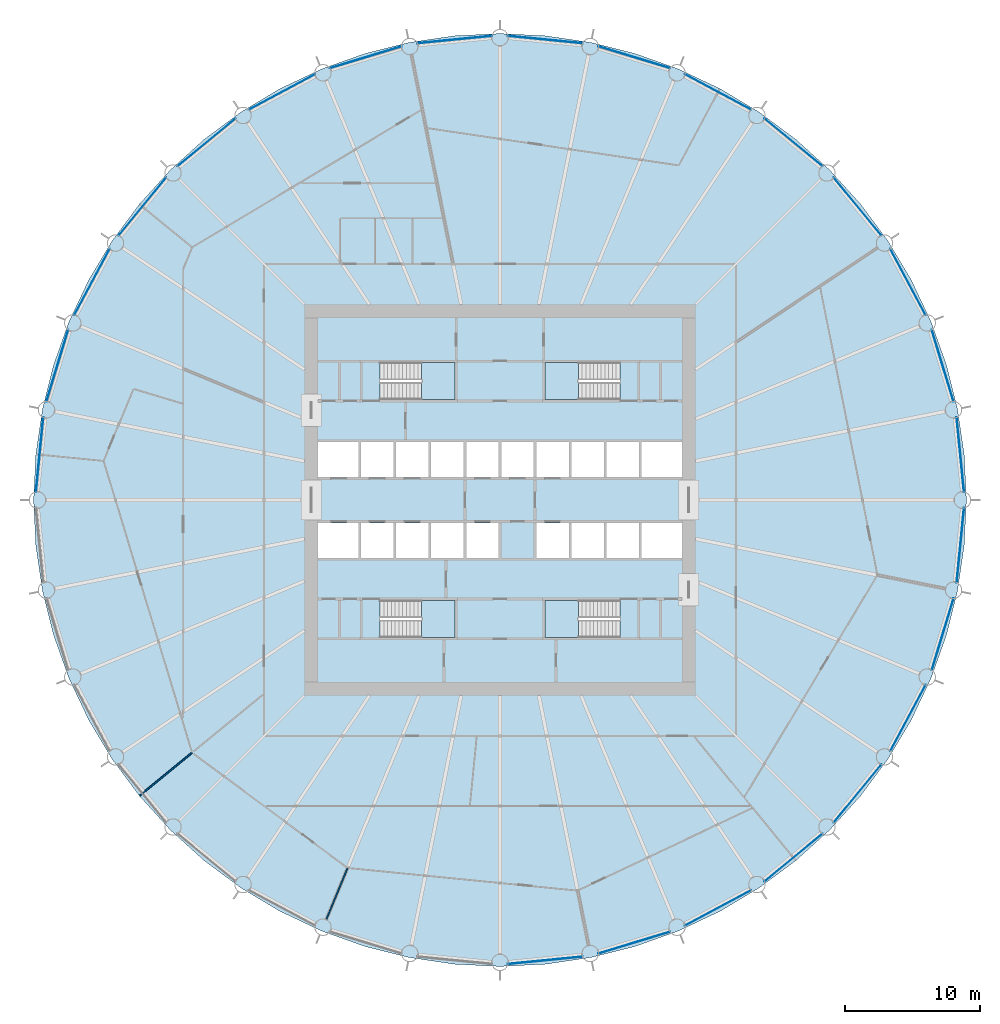
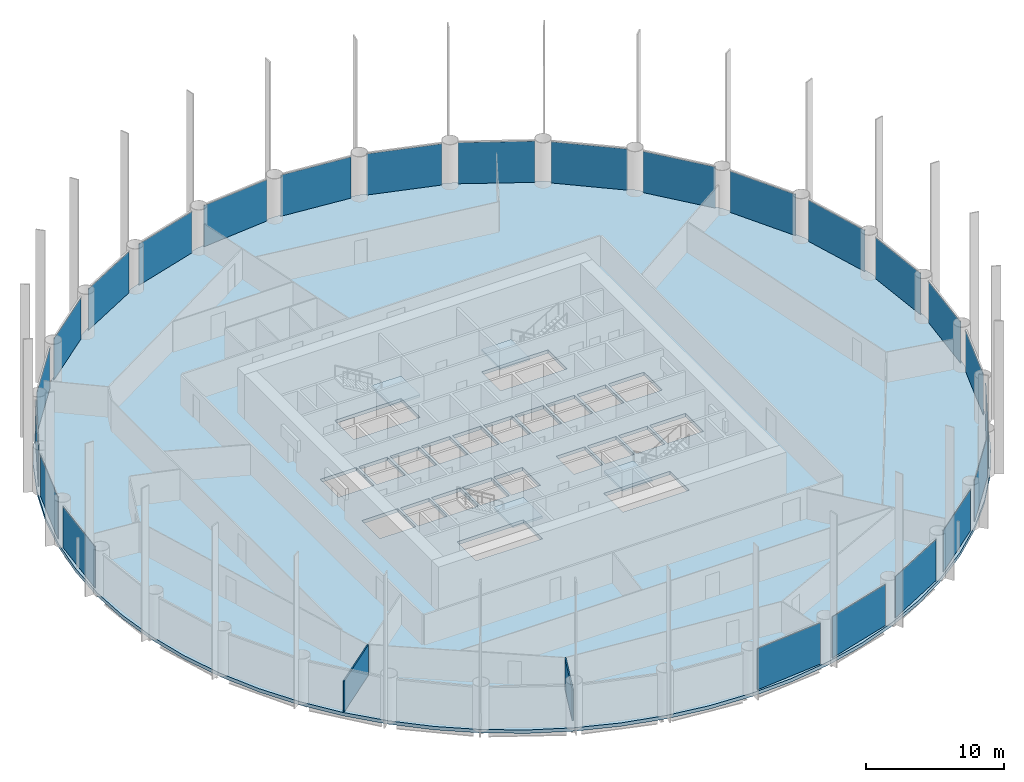
# One storey, part 3 of 10: 24 plates, 5 slabs, 2 walls, 28 elements without a shape of their own.
"""IFC4 building model written with IfcOpenShell, lengths in metres."""

from ifc_helpers import new_model, si_unit, direction, frame, frame_2d, origin, origin_2d, place, context, subcontext, project, spatial, polyline, rectangle, outline, extrude, material, layer, layer_set, type_object, element, aggregate, save


model = new_model("IFC4")

# Units and contexts
model_context = context("Model", 3, precision=1e-05, world=origin(), true_north=direction((0.0, 1.0)))
body_context = subcontext(model_context, "Body", "Model", "MODEL_VIEW")
ifc_project = project(units=[si_unit("LENGTHUNIT", "METRE"), si_unit("AREAUNIT", "SQUARE_METRE"), si_unit("VOLUMEUNIT", "CUBIC_METRE"), si_unit("PLANEANGLEUNIT", "RADIAN"), si_unit("MASSUNIT", "GRAM", prefix="KILO")], contexts=[model_context])

# Site, building, storey
site_placement = place(None, origin())
site = spatial("IfcSite", under=ifc_project, at=site_placement, CompositionType="ELEMENT")
building_placement = place(site_placement, origin())
building = spatial("IfcBuilding", under=site, at=building_placement, Name="Corvane Civic Tower", CompositionType="ELEMENT")
storey_placement = place(building_placement, frame((0.0, 0.0, 130.5)))
storey = spatial("IfcBuildingStorey", under=building, at=storey_placement, Name="L30", CompositionType="ELEMENT", Elevation=130.5)

# Slab
ifc_material_1 = material(Name="Concrete C40/50", Category="concrete")
ifc_layer_1 = layer(ifc_material_1, 0.300048828125)
ifc_layer_set_1 = layer_set([ifc_layer_1], Name="Concrete C40/50")
slab_type_1 = type_object("IfcSlabType", Name="FLOOR SLAB 300", PredefinedType="FLOOR", material=ifc_layer_set_1)
slab_1_placement = place(storey_placement, frame((0.0, 0.0, -0.300048828125)))
element("IfcSlab", 1, at=slab_1_placement, inside=storey, type_object=slab_type_1, Name="SLB-L30", PredefinedType="FLOOR", context=body_context, shape_type="SweptSolid", body=[
    extrude(outline(polyline([(0.0, 34.60009765625), (-3.391357421875, 34.433349609375), (-6.750244140625, 33.93505859375), (-10.0439453125, 33.110107421875), (-13.240966796875, 31.96630859375), (-16.310302734375, 30.514404296875), (-19.22265625, 28.768798828125), (-21.949951171875, 26.74609375), (-24.4658203125, 24.4658203125), (-26.74609375, 21.949951171875), (-28.768798828125, 19.22265625), (-30.514404296875, 16.310302734375), (-31.96630859375, 13.240966796875), (-33.110107421875, 10.0439453125), (-33.93505859375, 6.750244140625), (-34.433349609375, 3.391357421875), (-34.60009765625, 0.0), (-34.433349609375, -3.391357421875), (-33.93505859375, -6.750244140625), (-33.110107421875, -10.0439453125), (-31.96630859375, -13.240966796875), (-30.514404296875, -16.310302734375), (-28.768798828125, -19.22265625), (-26.74609375, -21.949951171875), (-24.4658203125, -24.4658203125), (-21.949951171875, -26.74609375), (-19.22265625, -28.768798828125), (-16.310302734375, -30.514404296875), (-13.240966796875, -31.96630859375), (-10.0439453125, -33.110107421875), (-6.750244140625, -33.93505859375), (-3.391357421875, -34.433349609375), (0.0, -34.60009765625), (3.391357421875, -34.433349609375), (6.750244140625, -33.93505859375), (10.0439453125, -33.110107421875), (13.240966796875, -31.96630859375), (16.310302734375, -30.514404296875), (19.22265625, -28.768798828125), (21.949951171875, -26.74609375), (24.4658203125, -24.4658203125), (26.74609375, -21.949951171875), (28.768798828125, -19.22265625), (30.514404296875, -16.310302734375), (31.96630859375, -13.240966796875), (33.110107421875, -10.0439453125), (33.93505859375, -6.750244140625), (34.433349609375, -3.391357421875), (34.60009765625, 0.0), (34.433349609375, 3.391357421875), (33.93505859375, 6.750244140625), (33.110107421875, 10.0439453125), (31.96630859375, 13.240966796875), (30.514404296875, 16.310302734375), (28.768798828125, 19.22265625), (26.74609375, 21.949951171875), (24.4658203125, 24.4658203125), (21.949951171875, 26.74609375), (19.22265625, 28.768798828125), (16.310302734375, 30.514404296875), (13.240966796875, 31.96630859375), (10.0439453125, 33.110107421875), (6.750244140625, 33.93505859375), (3.391357421875, 34.433349609375), (0.0, 34.60009765625)]), holes=[polyline([(-13.5, 4.300048828125), (-10.5, 4.300048828125), (-10.5, 1.699951171875), (-13.5, 1.699951171875), (-13.5, 4.300048828125)]), polyline([(-7.89990234375, 1.699951171875), (-10.300048828125, 1.699951171875), (-10.300048828125, 4.300048828125), (-7.89990234375, 4.300048828125), (-7.89990234375, 1.699951171875)]), polyline([(-7.699951171875, 4.300048828125), (-5.300048828125, 4.300048828125), (-5.300048828125, 1.699951171875), (-7.699951171875, 1.699951171875), (-7.699951171875, 4.300048828125)]), polyline([(-5.10009765625, 4.300048828125), (-2.699951171875, 4.300048828125), (-2.699951171875, 1.699951171875), (-5.10009765625, 1.699951171875), (-5.10009765625, 4.300048828125)]), polyline([(-0.10009765625, 1.699951171875), (-2.5, 1.699951171875), (-2.5, 4.300048828125), (-0.10009765625, 4.300048828125), (-0.10009765625, 1.699951171875)]), polyline([(2.5, 1.699951171875), (0.10009765625, 1.699951171875), (0.10009765625, 4.300048828125), (2.5, 4.300048828125), (2.5, 1.699951171875)]), polyline([(2.699951171875, 4.300048828125), (5.10009765625, 4.300048828125), (5.10009765625, 1.699951171875), (2.699951171875, 1.699951171875), (2.699951171875, 4.300048828125)]), polyline([(5.300048828125, 4.300048828125), (7.699951171875, 4.300048828125), (7.699951171875, 1.699951171875), (5.300048828125, 1.699951171875), (5.300048828125, 4.300048828125)]), polyline([(7.89990234375, 4.300048828125), (10.300048828125, 4.300048828125), (10.300048828125, 1.699951171875), (7.89990234375, 1.699951171875), (7.89990234375, 4.300048828125)]), polyline([(13.5, 1.699951171875), (10.5, 1.699951171875), (10.5, 4.300048828125), (13.5, 4.300048828125), (13.5, 1.699951171875)]), polyline([(-13.5, -1.699951171875), (-10.5, -1.699951171875), (-10.5, -4.300048828125), (-13.5, -4.300048828125), (-13.5, -1.699951171875)]), polyline([(-7.89990234375, -1.699951171875), (-7.89990234375, -4.300048828125), (-10.300048828125, -4.300048828125), (-10.300048828125, -1.699951171875), (-7.89990234375, -1.699951171875)]), polyline([(-5.300048828125, -1.699951171875), (-5.300048828125, -4.300048828125), (-7.699951171875, -4.300048828125), (-7.699951171875, -1.699951171875), (-5.300048828125, -1.699951171875)]), polyline([(-5.10009765625, -4.300048828125), (-5.10009765625, -1.699951171875), (-2.699951171875, -1.699951171875), (-2.699951171875, -4.300048828125), (-5.10009765625, -4.300048828125)]), polyline([(-0.10009765625, -1.699951171875), (-0.10009765625, -4.300048828125), (-2.5, -4.300048828125), (-2.5, -1.699951171875), (-0.10009765625, -1.699951171875)]), polyline([(5.10009765625, -1.699951171875), (5.10009765625, -4.300048828125), (2.699951171875, -4.300048828125), (2.699951171875, -1.699951171875), (5.10009765625, -1.699951171875)]), polyline([(7.699951171875, -1.699951171875), (7.699951171875, -4.300048828125), (5.300048828125, -4.300048828125), (5.300048828125, -1.699951171875), (7.699951171875, -1.699951171875)]), polyline([(10.300048828125, -1.699951171875), (10.300048828125, -4.300048828125), (7.89990234375, -4.300048828125), (7.89990234375, -1.699951171875), (10.300048828125, -1.699951171875)]), polyline([(13.5, -4.300048828125), (10.5, -4.300048828125), (10.5, -1.699951171875), (13.5, -1.699951171875), (13.5, -4.300048828125)]), polyline([(8.889892578125, 10.199951171875), (8.889892578125, 7.449951171875), (3.35009765625, 7.449951171875), (3.35009765625, 10.199951171875), (8.889892578125, 10.199951171875)]), polyline([(-8.889892578125, 7.449951171875), (-8.889892578125, 10.199951171875), (-3.35009765625, 10.199951171875), (-3.35009765625, 7.449951171875), (-8.889892578125, 7.449951171875)]), polyline([(8.889892578125, -7.449951171875), (8.889892578125, -10.199951171875), (3.35009765625, -10.199951171875), (3.35009765625, -7.449951171875), (8.889892578125, -7.449951171875)]), polyline([(-8.889892578125, -10.199951171875), (-8.889892578125, -7.449951171875), (-3.35009765625, -7.449951171875), (-3.35009765625, -10.199951171875), (-8.889892578125, -10.199951171875)])]), origin(), (0.0, 0.0, 1.0), 0.300048828125),
])

# Stair, slab
ifc_material_2 = material(Name="Concrete C40/50", Category="concrete")
stair_type = type_object("IfcStairType", Name="ST-STAIR-HALFTURN", PredefinedType="HALF_TURN_STAIR", material=ifc_material_2)
stair_1_placement = place(storey_placement, origin())
stair_1 = element("IfcStair", 2, at=stair_1_placement, inside=storey, type_object=stair_type, Name="L30 Exit stair ST1", PredefinedType="HALF_TURN_STAIR")
ifc_material_3 = material(Name="Concrete C40/50", Category="concrete")
ifc_layer_2 = layer(ifc_material_3, 0.199951171875)
ifc_layer_set_2 = layer_set([ifc_layer_2], Name="Concrete C40/50")
slab_type_2 = type_object("IfcSlabType", Name="ST-LANDING-RC", PredefinedType="LANDING", material=ifc_layer_set_2)
slab_2_placement = place(storey_placement, frame((0.0, 0.0, 1.800048828125)))
slab_2 = element("IfcSlab", 3, at=slab_2_placement, type_object=slab_type_2, Name="ST1 landing 1", PredefinedType="LANDING", context=body_context, shape_type="SweptSolid", body=[
    extrude(outline(polyline([(5.820068359375, 10.199951171875), (3.35009765625, 10.199951171875), (3.35009765625, 7.449951171875), (5.820068359375, 7.449951171875), (5.820068359375, 10.199951171875)])), origin(), (0.0, 0.0, 1.0), 0.199951171875),
])
aggregate(stair_1, [slab_2])

stair_2_placement = place(storey_placement, origin())
stair_2 = element("IfcStair", 4, at=stair_2_placement, inside=storey, type_object=stair_type, Name="L30 Exit stair ST2", PredefinedType="HALF_TURN_STAIR")
slab_3_placement = place(storey_placement, frame((0.0, 0.0, 1.800048828125)))
slab_3 = element("IfcSlab", 5, at=slab_3_placement, type_object=slab_type_2, Name="ST2 landing 1", PredefinedType="LANDING", context=body_context, shape_type="SweptSolid", body=[
    extrude(outline(polyline([(5.820068359375, -7.449951171875), (3.35009765625, -7.449951171875), (3.35009765625, -10.199951171875), (5.820068359375, -10.199951171875), (5.820068359375, -7.449951171875)])), origin(), (0.0, 0.0, 1.0), 0.199951171875),
])
aggregate(stair_2, [slab_3])

stair_3_placement = place(storey_placement, origin())
stair_3 = element("IfcStair", 6, at=stair_3_placement, inside=storey, type_object=stair_type, Name="L30 Exit stair ST3", PredefinedType="HALF_TURN_STAIR")
slab_4_placement = place(storey_placement, frame((0.0, 0.0, 1.800048828125)))
slab_4 = element("IfcSlab", 7, at=slab_4_placement, type_object=slab_type_2, Name="ST3 landing 1", PredefinedType="LANDING", context=body_context, shape_type="SweptSolid", body=[
    extrude(outline(polyline([(-5.820068359375, -10.199951171875), (-3.35009765625, -10.199951171875), (-3.35009765625, -7.449951171875), (-5.820068359375, -7.449951171875), (-5.820068359375, -10.199951171875)])), origin(), (0.0, 0.0, 1.0), 0.199951171875),
])
aggregate(stair_3, [slab_4])

stair_4_placement = place(storey_placement, origin())
stair_4 = element("IfcStair", 8, at=stair_4_placement, inside=storey, type_object=stair_type, Name="L30 Exit stair ST4", PredefinedType="HALF_TURN_STAIR")
slab_5_placement = place(storey_placement, frame((0.0, 0.0, 1.800048828125)))
slab_5 = element("IfcSlab", 9, at=slab_5_placement, type_object=slab_type_2, Name="ST4 landing 1", PredefinedType="LANDING", context=body_context, shape_type="SweptSolid", body=[
    extrude(outline(polyline([(-5.820068359375, 7.449951171875), (-3.35009765625, 7.449951171875), (-3.35009765625, 10.199951171875), (-5.820068359375, 10.199951171875), (-5.820068359375, 7.449951171875)])), origin(), (0.0, 0.0, 1.0), 0.199951171875),
])
aggregate(stair_4, [slab_5])

# Curtain wall, plate
ifc_material_4 = material(Name="Anodised aluminium bronze", Category="aluminium")
curtain_wall_type = type_object("IfcCurtainWallType", Name="TOWER CW-T1 STICK CURTAIN WALL", PredefinedType="NOTDEFINED", material=ifc_material_4)
curtain_wall_1_placement = place(storey_placement, origin())
curtain_wall_1 = element("IfcCurtainWall", 10, at=curtain_wall_1_placement, inside=storey, type_object=curtain_wall_type, Name="Curtain wall CW-T1 L30 bay 01", PredefinedType="NOTDEFINED")
ifc_material_5 = material(Name="Tinted glass", Category="glass")
ifc_layer_3 = layer(ifc_material_5, 0.035888671875)
ifc_layer_set_3 = layer_set([ifc_layer_3], Name="Tinted glass")
plate_type = type_object("IfcPlateType", Name="TOWER CW-T1 PANEL IGU36", PredefinedType="CURTAIN_PANEL", material=ifc_layer_set_3)
plate_1_placement = place(storey_placement, frame((3.36328125, 34.148681640625, 0.0), z_axis=(0.0, 0.0, 1.0), x_axis=(0.995183788169, -0.098026668644, 0.0)))
plate_1 = element("IfcPlate", 11, at=plate_1_placement, type_object=plate_type, Name="Glass panel CW-T1 L30 01.1", PredefinedType="CURTAIN_PANEL", context=body_context, shape_type="SweptSolid", body=[
    extrude(rectangle(XDim=5.58642578125, YDim=0.035888671875, at=origin_2d()), origin(), (0.0, 0.0, 1.0), 3.6298828125),
])
aggregate(curtain_wall_1, [plate_1])

curtain_wall_2_placement = place(storey_placement, origin())
curtain_wall_2 = element("IfcCurtainWall", 12, at=curtain_wall_2_placement, inside=storey, type_object=curtain_wall_type, Name="Curtain wall CW-T1 L30 bay 02", PredefinedType="NOTDEFINED")
plate_2_placement = place(storey_placement, frame((9.9609375, 32.83642578125, 0.0), z_axis=(0.0, 0.0, 1.0), x_axis=(0.956945991488, -0.290266032073, 0.0)))
plate_2 = element("IfcPlate", 13, at=plate_2_placement, type_object=plate_type, Name="Glass panel CW-T1 L30 02.1", PredefinedType="CURTAIN_PANEL", context=body_context, shape_type="SweptSolid", body=[
    extrude(rectangle(XDim=5.58642578125, YDim=0.035888671875, at=origin_2d()), origin(), (0.0, 0.0, 1.0), 3.6298828125),
])
aggregate(curtain_wall_2, [plate_2])

curtain_wall_3_placement = place(storey_placement, origin())
curtain_wall_3 = element("IfcCurtainWall", 14, at=curtain_wall_3_placement, inside=storey, type_object=curtain_wall_type, Name="Curtain wall CW-T1 L30 bay 03", PredefinedType="NOTDEFINED")
plate_3_placement = place(storey_placement, frame((16.175537109375, 30.26220703125, 0.0), z_axis=(0.0, 0.0, 1.0), x_axis=(0.881923642976, -0.471392286699, 0.0)))
plate_3 = element("IfcPlate", 15, at=plate_3_placement, type_object=plate_type, Name="Glass panel CW-T1 L30 03.1", PredefinedType="CURTAIN_PANEL", context=body_context, shape_type="SweptSolid", body=[
    extrude(rectangle(XDim=5.586669921875, YDim=0.035888671875, at=origin_2d()), origin(), (0.0, 0.0, 1.0), 3.6298828125),
])
aggregate(curtain_wall_3, [plate_3])

curtain_wall_4_placement = place(storey_placement, origin())
curtain_wall_4 = element("IfcCurtainWall", 16, at=curtain_wall_4_placement, inside=storey, type_object=curtain_wall_type, Name="Curtain wall CW-T1 L30 bay 04", PredefinedType="NOTDEFINED")
plate_4_placement = place(storey_placement, frame((21.7685546875, 26.525146484375, 0.0), z_axis=(0.0, 0.0, 1.0), x_axis=(0.773013419843, -0.63438966948, 0.0)))
plate_4 = element("IfcPlate", 17, at=plate_4_placement, type_object=plate_type, Name="Glass panel CW-T1 L30 04.1", PredefinedType="CURTAIN_PANEL", context=body_context, shape_type="SweptSolid", body=[
    extrude(rectangle(XDim=5.58642578125, YDim=0.035888671875, at=origin_2d()), origin(), (0.0, 0.0, 1.0), 3.6298828125),
])
aggregate(curtain_wall_4, [plate_4])

curtain_wall_5_placement = place(storey_placement, origin())
curtain_wall_5 = element("IfcCurtainWall", 18, at=curtain_wall_5_placement, inside=storey, type_object=curtain_wall_type, Name="Curtain wall CW-T1 L30 bay 05", PredefinedType="NOTDEFINED")
plate_5_placement = place(storey_placement, frame((26.525146484375, 21.7685546875, 0.0), z_axis=(0.0, 0.0, 1.0), x_axis=(0.63438966948, -0.773013419843, 0.0)))
plate_5 = element("IfcPlate", 19, at=plate_5_placement, type_object=plate_type, Name="Glass panel CW-T1 L30 05.1", PredefinedType="CURTAIN_PANEL", context=body_context, shape_type="SweptSolid", body=[
    extrude(rectangle(XDim=5.58642578125, YDim=0.035888671875, at=origin_2d()), origin(), (0.0, 0.0, 1.0), 3.6298828125),
])
aggregate(curtain_wall_5, [plate_5])

curtain_wall_6_placement = place(storey_placement, origin())
curtain_wall_6 = element("IfcCurtainWall", 20, at=curtain_wall_6_placement, inside=storey, type_object=curtain_wall_type, Name="Curtain wall CW-T1 L30 bay 06", PredefinedType="NOTDEFINED")
plate_6_placement = place(storey_placement, frame((30.26220703125, 16.175537109375, 0.0), z_axis=(0.0, 0.0, 1.0), x_axis=(0.471392286699, -0.881923642976, 0.0)))
plate_6 = element("IfcPlate", 21, at=plate_6_placement, type_object=plate_type, Name="Glass panel CW-T1 L30 06.1", PredefinedType="CURTAIN_PANEL", context=body_context, shape_type="SweptSolid", body=[
    extrude(rectangle(XDim=5.586669921875, YDim=0.035888671875, at=origin_2d()), origin(), (0.0, 0.0, 1.0), 3.6298828125),
])
aggregate(curtain_wall_6, [plate_6])

curtain_wall_7_placement = place(storey_placement, origin())
curtain_wall_7 = element("IfcCurtainWall", 22, at=curtain_wall_7_placement, inside=storey, type_object=curtain_wall_type, Name="Curtain wall CW-T1 L30 bay 07", PredefinedType="NOTDEFINED")
plate_7_placement = place(storey_placement, frame((32.83642578125, 9.9609375, 0.0), z_axis=(0.0, 0.0, 1.0), x_axis=(0.290266032073, -0.956945991488, 0.0)))
plate_7 = element("IfcPlate", 23, at=plate_7_placement, type_object=plate_type, Name="Glass panel CW-T1 L30 07.1", PredefinedType="CURTAIN_PANEL", context=body_context, shape_type="SweptSolid", body=[
    extrude(rectangle(XDim=5.58642578125, YDim=0.035888671875, at=origin_2d()), origin(), (0.0, 0.0, 1.0), 3.6298828125),
])
aggregate(curtain_wall_7, [plate_7])

curtain_wall_8_placement = place(storey_placement, origin())
curtain_wall_8 = element("IfcCurtainWall", 24, at=curtain_wall_8_placement, inside=storey, type_object=curtain_wall_type, Name="Curtain wall CW-T1 L30 bay 08", PredefinedType="NOTDEFINED")
plate_8_placement = place(storey_placement, frame((34.148681640625, 3.36328125, 0.0), z_axis=(0.0, 0.0, 1.0), x_axis=(0.098026668644, -0.995183788169, 0.0)))
plate_8 = element("IfcPlate", 25, at=plate_8_placement, type_object=plate_type, Name="Glass panel CW-T1 L30 08.1", PredefinedType="CURTAIN_PANEL", context=body_context, shape_type="SweptSolid", body=[
    extrude(rectangle(XDim=5.58642578125, YDim=0.035888671875, at=origin_2d()), origin(), (0.0, 0.0, 1.0), 3.6298828125),
])
aggregate(curtain_wall_8, [plate_8])

curtain_wall_9_placement = place(storey_placement, origin())
curtain_wall_9 = element("IfcCurtainWall", 26, at=curtain_wall_9_placement, inside=storey, type_object=curtain_wall_type, Name="Curtain wall CW-T1 L30 bay 09", PredefinedType="NOTDEFINED")
plate_9_placement = place(storey_placement, frame((34.148681640625, -3.36328125, 0.0), z_axis=(0.0, 0.0, 1.0), x_axis=(-0.098026668644, -0.995183788169, 0.0)))
plate_9 = element("IfcPlate", 27, at=plate_9_placement, type_object=plate_type, Name="Glass panel CW-T1 L30 09.1", PredefinedType="CURTAIN_PANEL", context=body_context, shape_type="SweptSolid", body=[
    extrude(rectangle(XDim=5.58642578125, YDim=0.035888671875, at=origin_2d()), origin(), (0.0, 0.0, 1.0), 3.6298828125),
])
aggregate(curtain_wall_9, [plate_9])

curtain_wall_10_placement = place(storey_placement, origin())
curtain_wall_10 = element("IfcCurtainWall", 28, at=curtain_wall_10_placement, inside=storey, type_object=curtain_wall_type, Name="Curtain wall CW-T1 L30 bay 10", PredefinedType="NOTDEFINED")
plate_10_placement = place(storey_placement, frame((32.83642578125, -9.9609375, 0.0), z_axis=(0.0, 0.0, 1.0), x_axis=(-0.290266032073, -0.956945991488, 0.0)))
plate_10 = element("IfcPlate", 29, at=plate_10_placement, type_object=plate_type, Name="Glass panel CW-T1 L30 10.1", PredefinedType="CURTAIN_PANEL", context=body_context, shape_type="SweptSolid", body=[
    extrude(rectangle(XDim=5.58642578125, YDim=0.035888671875, at=origin_2d()), origin(), (0.0, 0.0, 1.0), 3.6298828125),
])
aggregate(curtain_wall_10, [plate_10])

curtain_wall_11_placement = place(storey_placement, origin())
curtain_wall_11 = element("IfcCurtainWall", 30, at=curtain_wall_11_placement, inside=storey, type_object=curtain_wall_type, Name="Curtain wall CW-T1 L30 bay 11", PredefinedType="NOTDEFINED")
plate_11_placement = place(storey_placement, frame((30.26220703125, -16.175537109375, 0.0), z_axis=(0.0, 0.0, 1.0), x_axis=(-0.471392286699, -0.881923642976, 0.0)))
plate_11 = element("IfcPlate", 31, at=plate_11_placement, type_object=plate_type, Name="Glass panel CW-T1 L30 11.1", PredefinedType="CURTAIN_PANEL", context=body_context, shape_type="SweptSolid", body=[
    extrude(rectangle(XDim=5.586669921875, YDim=0.035888671875, at=origin_2d()), origin(), (0.0, 0.0, 1.0), 3.6298828125),
])
aggregate(curtain_wall_11, [plate_11])

curtain_wall_12_placement = place(storey_placement, origin())
curtain_wall_12 = element("IfcCurtainWall", 32, at=curtain_wall_12_placement, inside=storey, type_object=curtain_wall_type, Name="Curtain wall CW-T1 L30 bay 12", PredefinedType="NOTDEFINED")
plate_12_placement = place(storey_placement, frame((26.525146484375, -21.7685546875, 0.0), z_axis=(0.0, 0.0, 1.0), x_axis=(-0.63438966948, -0.773013419843, 0.0)))
plate_12 = element("IfcPlate", 33, at=plate_12_placement, type_object=plate_type, Name="Glass panel CW-T1 L30 12.1", PredefinedType="CURTAIN_PANEL", context=body_context, shape_type="SweptSolid", body=[
    extrude(rectangle(XDim=5.58642578125, YDim=0.035888671875, at=origin_2d()), origin(), (0.0, 0.0, 1.0), 3.6298828125),
])
aggregate(curtain_wall_12, [plate_12])

curtain_wall_13_placement = place(storey_placement, origin())
curtain_wall_13 = element("IfcCurtainWall", 34, at=curtain_wall_13_placement, inside=storey, type_object=curtain_wall_type, Name="Curtain wall CW-T1 L30 bay 13", PredefinedType="NOTDEFINED")
plate_13_placement = place(storey_placement, frame((21.7685546875, -26.525146484375, 0.0), z_axis=(0.0, 0.0, 1.0), x_axis=(-0.773013419843, -0.63438966948, 0.0)))
plate_13 = element("IfcPlate", 35, at=plate_13_placement, type_object=plate_type, Name="Glass panel CW-T1 L30 13.1", PredefinedType="CURTAIN_PANEL", context=body_context, shape_type="SweptSolid", body=[
    extrude(rectangle(XDim=5.58642578125, YDim=0.035888671875, at=origin_2d()), origin(), (0.0, 0.0, 1.0), 3.6298828125),
])
aggregate(curtain_wall_13, [plate_13])

curtain_wall_14_placement = place(storey_placement, origin())
curtain_wall_14 = element("IfcCurtainWall", 36, at=curtain_wall_14_placement, inside=storey, type_object=curtain_wall_type, Name="Curtain wall CW-T1 L30 bay 14", PredefinedType="NOTDEFINED")
plate_14_placement = place(storey_placement, frame((16.175537109375, -30.26220703125, 0.0), z_axis=(0.0, 0.0, 1.0), x_axis=(-0.881923642976, -0.471392286699, 0.0)))
plate_14 = element("IfcPlate", 37, at=plate_14_placement, type_object=plate_type, Name="Glass panel CW-T1 L30 14.1", PredefinedType="CURTAIN_PANEL", context=body_context, shape_type="SweptSolid", body=[
    extrude(rectangle(XDim=5.586669921875, YDim=0.035888671875, at=origin_2d()), origin(), (0.0, 0.0, 1.0), 3.6298828125),
])
aggregate(curtain_wall_14, [plate_14])

curtain_wall_15_placement = place(storey_placement, origin())
curtain_wall_15 = element("IfcCurtainWall", 38, at=curtain_wall_15_placement, inside=storey, type_object=curtain_wall_type, Name="Curtain wall CW-T1 L30 bay 15", PredefinedType="NOTDEFINED")
plate_15_placement = place(storey_placement, frame((9.9609375, -32.83642578125, 0.0), z_axis=(0.0, 0.0, 1.0), x_axis=(-0.956945991488, -0.290266032073, 0.0)))
plate_15 = element("IfcPlate", 39, at=plate_15_placement, type_object=plate_type, Name="Glass panel CW-T1 L30 15.1", PredefinedType="CURTAIN_PANEL", context=body_context, shape_type="SweptSolid", body=[
    extrude(rectangle(XDim=5.58642578125, YDim=0.035888671875, at=origin_2d()), origin(), (0.0, 0.0, 1.0), 3.6298828125),
])
aggregate(curtain_wall_15, [plate_15])

curtain_wall_16_placement = place(storey_placement, origin())
curtain_wall_16 = element("IfcCurtainWall", 40, at=curtain_wall_16_placement, inside=storey, type_object=curtain_wall_type, Name="Curtain wall CW-T1 L30 bay 16", PredefinedType="NOTDEFINED")
plate_16_placement = place(storey_placement, frame((3.36328125, -34.148681640625, 0.0), z_axis=(0.0, 0.0, 1.0), x_axis=(-0.995183788169, -0.098026668644, 0.0)))
plate_16 = element("IfcPlate", 41, at=plate_16_placement, type_object=plate_type, Name="Glass panel CW-T1 L30 16.1", PredefinedType="CURTAIN_PANEL", context=body_context, shape_type="SweptSolid", body=[
    extrude(rectangle(XDim=5.58642578125, YDim=0.035888671875, at=origin_2d()), origin(), (0.0, 0.0, 1.0), 3.6298828125),
])
aggregate(curtain_wall_16, [plate_16])

curtain_wall_17_placement = place(storey_placement, origin())
curtain_wall_17 = element("IfcCurtainWall", 42, at=curtain_wall_17_placement, inside=storey, type_object=curtain_wall_type, Name="Curtain wall CW-T1 L30 bay 25", PredefinedType="NOTDEFINED")
plate_17_placement = place(storey_placement, frame((-34.148681640625, 3.36328125, 0.0), z_axis=(0.0, 0.0, 1.0), x_axis=(0.098026668644, 0.995183788169, 0.0)))
plate_17 = element("IfcPlate", 43, at=plate_17_placement, type_object=plate_type, Name="Glass panel CW-T1 L30 25.1", PredefinedType="CURTAIN_PANEL", context=body_context, shape_type="SweptSolid", body=[
    extrude(rectangle(XDim=5.58642578125, YDim=0.035888671875, at=origin_2d()), origin(), (0.0, 0.0, 1.0), 3.6298828125),
])
aggregate(curtain_wall_17, [plate_17])

curtain_wall_18_placement = place(storey_placement, origin())
curtain_wall_18 = element("IfcCurtainWall", 44, at=curtain_wall_18_placement, inside=storey, type_object=curtain_wall_type, Name="Curtain wall CW-T1 L30 bay 26", PredefinedType="NOTDEFINED")
plate_18_placement = place(storey_placement, frame((-32.83642578125, 9.9609375, 0.0), z_axis=(0.0, 0.0, 1.0), x_axis=(0.290266032073, 0.956945991488, 0.0)))
plate_18 = element("IfcPlate", 45, at=plate_18_placement, type_object=plate_type, Name="Glass panel CW-T1 L30 26.1", PredefinedType="CURTAIN_PANEL", context=body_context, shape_type="SweptSolid", body=[
    extrude(rectangle(XDim=5.58642578125, YDim=0.035888671875, at=origin_2d()), origin(), (0.0, 0.0, 1.0), 3.6298828125),
])
aggregate(curtain_wall_18, [plate_18])

curtain_wall_19_placement = place(storey_placement, origin())
curtain_wall_19 = element("IfcCurtainWall", 46, at=curtain_wall_19_placement, inside=storey, type_object=curtain_wall_type, Name="Curtain wall CW-T1 L30 bay 27", PredefinedType="NOTDEFINED")
plate_19_placement = place(storey_placement, frame((-30.26220703125, 16.175537109375, 0.0), z_axis=(0.0, 0.0, 1.0), x_axis=(0.471392286699, 0.881923642976, 0.0)))
plate_19 = element("IfcPlate", 47, at=plate_19_placement, type_object=plate_type, Name="Glass panel CW-T1 L30 27.1", PredefinedType="CURTAIN_PANEL", context=body_context, shape_type="SweptSolid", body=[
    extrude(rectangle(XDim=5.586669921875, YDim=0.035888671875, at=origin_2d()), origin(), (0.0, 0.0, 1.0), 3.6298828125),
])
aggregate(curtain_wall_19, [plate_19])

curtain_wall_20_placement = place(storey_placement, origin())
curtain_wall_20 = element("IfcCurtainWall", 48, at=curtain_wall_20_placement, inside=storey, type_object=curtain_wall_type, Name="Curtain wall CW-T1 L30 bay 28", PredefinedType="NOTDEFINED")
plate_20_placement = place(storey_placement, frame((-26.525146484375, 21.7685546875, 0.0), z_axis=(0.0, 0.0, 1.0), x_axis=(0.63438966948, 0.773013419843, 0.0)))
plate_20 = element("IfcPlate", 49, at=plate_20_placement, type_object=plate_type, Name="Glass panel CW-T1 L30 28.1", PredefinedType="CURTAIN_PANEL", context=body_context, shape_type="SweptSolid", body=[
    extrude(rectangle(XDim=5.58642578125, YDim=0.035888671875, at=origin_2d()), origin(), (0.0, 0.0, 1.0), 3.6298828125),
])
aggregate(curtain_wall_20, [plate_20])

curtain_wall_21_placement = place(storey_placement, origin())
curtain_wall_21 = element("IfcCurtainWall", 50, at=curtain_wall_21_placement, inside=storey, type_object=curtain_wall_type, Name="Curtain wall CW-T1 L30 bay 29", PredefinedType="NOTDEFINED")
plate_21_placement = place(storey_placement, frame((-21.7685546875, 26.525146484375, 0.0), z_axis=(0.0, 0.0, 1.0), x_axis=(0.773013419843, 0.63438966948, 0.0)))
plate_21 = element("IfcPlate", 51, at=plate_21_placement, type_object=plate_type, Name="Glass panel CW-T1 L30 29.1", PredefinedType="CURTAIN_PANEL", context=body_context, shape_type="SweptSolid", body=[
    extrude(rectangle(XDim=5.58642578125, YDim=0.035888671875, at=origin_2d()), origin(), (0.0, 0.0, 1.0), 3.6298828125),
])
aggregate(curtain_wall_21, [plate_21])

curtain_wall_22_placement = place(storey_placement, origin())
curtain_wall_22 = element("IfcCurtainWall", 52, at=curtain_wall_22_placement, inside=storey, type_object=curtain_wall_type, Name="Curtain wall CW-T1 L30 bay 30", PredefinedType="NOTDEFINED")
plate_22_placement = place(storey_placement, frame((-16.175537109375, 30.26220703125, 0.0), z_axis=(0.0, 0.0, 1.0), x_axis=(0.881923642976, 0.471392286699, 0.0)))
plate_22 = element("IfcPlate", 53, at=plate_22_placement, type_object=plate_type, Name="Glass panel CW-T1 L30 30.1", PredefinedType="CURTAIN_PANEL", context=body_context, shape_type="SweptSolid", body=[
    extrude(rectangle(XDim=5.586669921875, YDim=0.035888671875, at=origin_2d()), origin(), (0.0, 0.0, 1.0), 3.6298828125),
])
aggregate(curtain_wall_22, [plate_22])

curtain_wall_23_placement = place(storey_placement, origin())
curtain_wall_23 = element("IfcCurtainWall", 54, at=curtain_wall_23_placement, inside=storey, type_object=curtain_wall_type, Name="Curtain wall CW-T1 L30 bay 31", PredefinedType="NOTDEFINED")
plate_23_placement = place(storey_placement, frame((-9.9609375, 32.83642578125, 0.0), z_axis=(0.0, 0.0, 1.0), x_axis=(0.956945991488, 0.290266032073, 0.0)))
plate_23 = element("IfcPlate", 55, at=plate_23_placement, type_object=plate_type, Name="Glass panel CW-T1 L30 31.1", PredefinedType="CURTAIN_PANEL", context=body_context, shape_type="SweptSolid", body=[
    extrude(rectangle(XDim=5.58642578125, YDim=0.035888671875, at=origin_2d()), origin(), (0.0, 0.0, 1.0), 3.6298828125),
])
aggregate(curtain_wall_23, [plate_23])

curtain_wall_24_placement = place(storey_placement, origin())
curtain_wall_24 = element("IfcCurtainWall", 56, at=curtain_wall_24_placement, inside=storey, type_object=curtain_wall_type, Name="Curtain wall CW-T1 L30 bay 32", PredefinedType="NOTDEFINED")
plate_24_placement = place(storey_placement, frame((-3.36328125, 34.148681640625, 0.0), z_axis=(0.0, 0.0, 1.0), x_axis=(0.995183788169, 0.098026668644, 0.0)))
plate_24 = element("IfcPlate", 57, at=plate_24_placement, type_object=plate_type, Name="Glass panel CW-T1 L30 32.1", PredefinedType="CURTAIN_PANEL", context=body_context, shape_type="SweptSolid", body=[
    extrude(rectangle(XDim=5.58642578125, YDim=0.035888671875, at=origin_2d()), origin(), (0.0, 0.0, 1.0), 3.6298828125),
])
aggregate(curtain_wall_24, [plate_24])

# Walls
ifc_material_6 = material(Name="Plasterboard")
ifc_layer_4 = layer(ifc_material_6, 0.10009765625)
ifc_layer_set_4 = layer_set([ifc_layer_4], Name="Plasterboard")
wall_type = type_object("IfcWallType", Name="Partition 100 plasterboard on studs", PredefinedType="PARTITIONING", material=ifc_layer_set_4)
wall_1_placement = place(storey_placement, frame((-12.883056640625, -31.102294921875, 0.0), z_axis=(0.0, 0.0, 1.0), x_axis=(0.382686358551, 0.92387832044, 0.0)))
element("IfcWall", 58, at=wall_1_placement, inside=storey, type_object=wall_type, Name="Partition L30.002", PredefinedType="PARTITIONING", context=body_context, shape_type="SweptSolid", body=[
    extrude(rectangle(XDim=4.081787109375, YDim=0.10009765625, at=frame_2d((2.041015625, 0.0))), origin(), (0.0, 0.0, 1.0), 2.699951171875),
])
wall_2_placement = place(storey_placement, frame((-26.707763671875, -21.91845703125, 0.0), z_axis=(0.0, 0.0, 1.0), x_axis=(0.773004840457, 0.634400123447, 0.0)))
element("IfcWall", 59, at=wall_2_placement, inside=storey, type_object=wall_type, Name="Partition L30.011", PredefinedType="PARTITIONING", context=body_context, shape_type="SweptSolid", body=[
    extrude(rectangle(XDim=4.972412109375, YDim=0.10009765625, at=frame_2d((2.486328125, 0.0))), origin(), (0.0, 0.0, 1.0), 2.699951171875),
])

save(model, "model.ifc")
